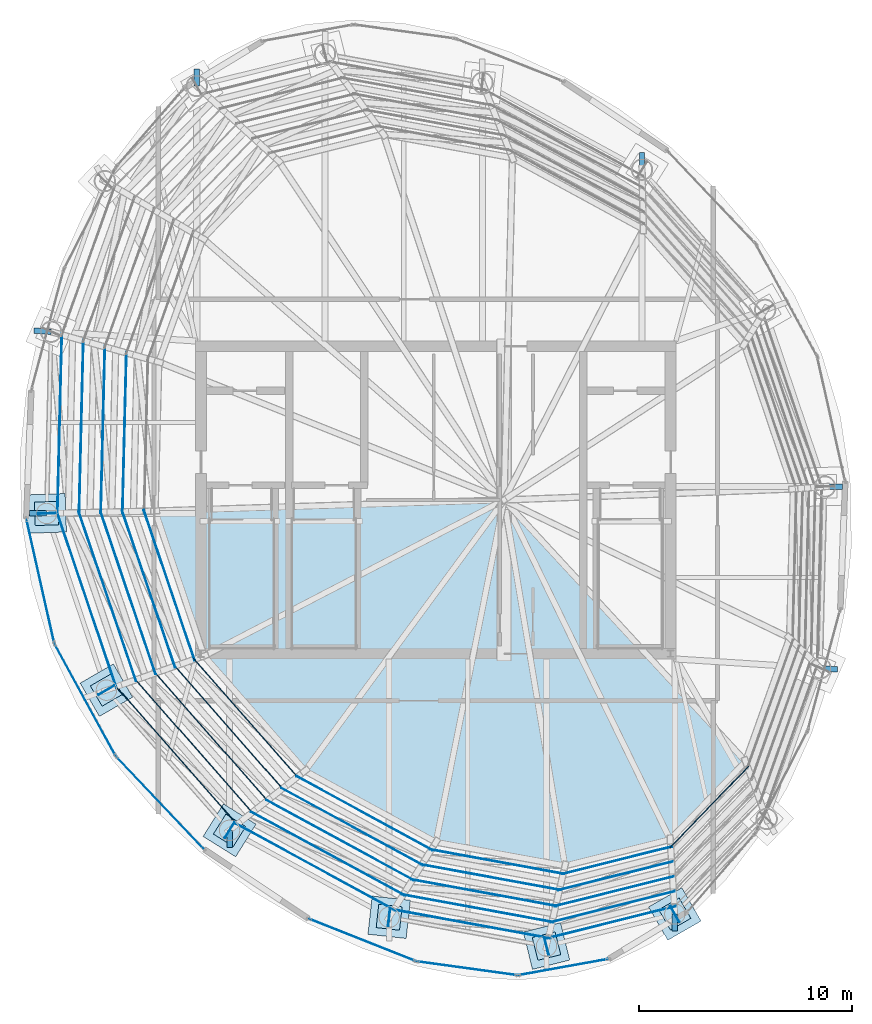
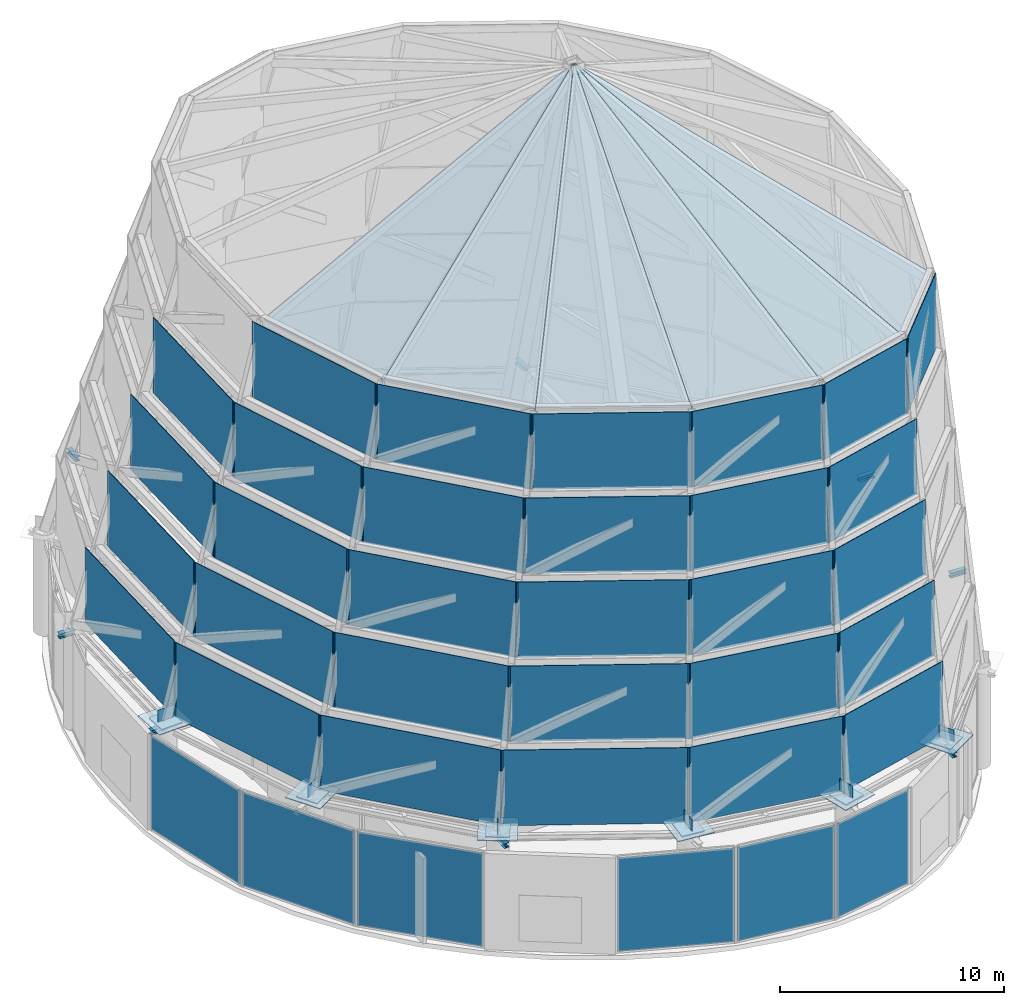
# One storey, part 35 of 40: 54 plates, 8 beams, 6 slabs, 6 elements without a shape of their own.
"""IFC4 building model written with IfcOpenShell, lengths in metres."""

import ifcopenshell
import ifcopenshell.guid

model = None  # the IFC model being written
_history = None  # IfcOwnerHistory: only IFC2X3 demands one
_inside = {}  # id of a spatial element -> (the spatial element, [elements in it])
_under = {}  # id of a project, library or spatial element -> (it, [spatial elements below it])
_declared = {}  # id of a project -> (the project, [libraries it declares])
_typed = {}  # id of a type object -> (the type object, [elements of that type])
_made_of = {}  # id of a material, layer set ... -> (it, [elements and type objects made of it])


def new_model(schema):
    """Start an empty IFC model of exactly this schema.

    Asked for "IFC4X3", IfcOpenShell would pick the latest addendum, in which some entities
    have other attributes; the version numbers below select the first issue.
    IFC2X3 requires an IfcOwnerHistory on every rooted entity: one is made here for all.
    """
    global model, _history
    if schema == "IFC4X3":
        model = ifcopenshell.file(schema_version=(4, 3, 0, 0))
    else:
        model = ifcopenshell.file(schema=schema)
    _inside.clear()
    _under.clear()
    _declared.clear()
    _typed.clear()
    _made_of.clear()
    _history = None
    if model.schema == "IFC2X3":
        org = make("IfcOrganization", Name="unknown")
        user = make(
            "IfcPersonAndOrganization",
            ThePerson=make("IfcPerson", FamilyName="unknown"),
            TheOrganization=org,
        )
        app = make(
            "IfcApplication",
            ApplicationDeveloper=org,
            Version="unknown",
            ApplicationFullName="unknown",
            ApplicationIdentifier="unknown",
        )
        _history = make(
            "IfcOwnerHistory",
            OwningUser=user,
            OwningApplication=app,
            ChangeAction="ADDED",
            CreationDate=0,
        )
    return model


def make(cls, **values):
    """One entity of the class cls with the attributes given. An attribute that is None is left unset."""
    return model.create_entity(
        cls, **{name: value for name, value in values.items() if value is not None}
    )


def rooted(cls, **values):
    """An entity with a GlobalId (a new one), such as an element, a storey or a relation."""
    return make(cls, GlobalId=ifcopenshell.guid.new(), OwnerHistory=_history, **values)


def si_unit(unit_type, name, prefix=None):
    """IfcSIUnit, for example si_unit("LENGTHUNIT", "METRE", prefix="MILLI")."""
    return make("IfcSIUnit", UnitType=unit_type, Prefix=prefix, Name=name)


def assignment(units):
    """IfcUnitAssignment: the units of a project."""
    return None if units is None else make("IfcUnitAssignment", Units=units)


def point(xyz):
    """IfcCartesianPoint."""
    return None if xyz is None else make("IfcCartesianPoint", Coordinates=xyz)


def direction(xyz):
    """IfcDirection."""
    return None if xyz is None else make("IfcDirection", DirectionRatios=xyz)


def frame(location, z_axis=None, x_axis=None):
    """IfcAxis2Placement3D, a coordinate frame: its origin and axes. An axis left out is left unset."""
    return make(
        "IfcAxis2Placement3D",
        Location=point(location),
        Axis=direction(z_axis),
        RefDirection=direction(x_axis),
    )


def frame_2d(location, x_axis=None):
    """IfcAxis2Placement2D, a coordinate frame in the plane: its origin and x axis."""
    return make(
        "IfcAxis2Placement2D", Location=point(location), RefDirection=direction(x_axis)
    )


def origin():
    """The frame at (0, 0, 0) with its axes left unset."""
    return frame((0.0, 0.0, 0.0))


def origin_2d():
    """The frame at (0, 0) in the plane with its x axis left unset."""
    return frame_2d((0.0, 0.0))


def place(relative_to, where):
    """IfcLocalPlacement: puts the frame where relative to a parent placement (None: the world)."""
    return make(
        "IfcLocalPlacement", PlacementRelTo=relative_to, RelativePlacement=where
    )


def context(
    kind, dimensions, precision=None, world=None, true_north=None, identifier=None
):
    """IfcGeometricRepresentationContext, for example the 3D "Model" context."""
    return make(
        "IfcGeometricRepresentationContext",
        ContextIdentifier=identifier,
        ContextType=kind,
        CoordinateSpaceDimension=dimensions,
        Precision=precision,
        WorldCoordinateSystem=world,
        TrueNorth=true_north,
    )


def subcontext(parent, identifier, kind, view, scale=None):
    """IfcGeometricRepresentationSubContext, for example "Body" below "Model"."""
    return make(
        "IfcGeometricRepresentationSubContext",
        ContextIdentifier=identifier,
        ContextType=kind,
        ParentContext=parent,
        TargetScale=scale,
        TargetView=view,
    )


def project(units=None, contexts=None):
    """IfcProject with its units and contexts."""
    return rooted(
        "IfcProject",
        Name="project",
        RepresentationContexts=contexts,
        UnitsInContext=assignment(units),
    )


def spatial(cls, under=None, at=None, **own):
    """A site, building, storey or space (cls), placed at a placement, below another one or the project."""
    s = rooted(cls, ObjectPlacement=at, **own)
    if under is not None:
        _under.setdefault(under.id(), (under, []))[1].append(s)
    return s


def polyline(points):
    """IfcPolyline through the points."""
    return make("IfcPolyline", Points=[point(p) for p in points])


def profile(cls, at=None, kind="AREA", **sizes):
    """A parametric profile (cls). Its sizes go by their IFC names, for example OverallWidth=200.0."""
    return make(cls, ProfileType=kind, Position=at, **sizes)


def rectangle(**sizes):
    """IfcRectangleProfileDef."""
    return profile("IfcRectangleProfileDef", **sizes)


def i_section(**sizes):
    """IfcIShapeProfileDef."""
    return profile("IfcIShapeProfileDef", **sizes)


def outline(outer, holes=None, kind="AREA"):
    """IfcArbitraryClosedProfileDef: a profile drawn as a closed curve; with holes, ...WithVoids."""
    if holes is None:
        return make("IfcArbitraryClosedProfileDef", ProfileType=kind, OuterCurve=outer)
    return make(
        "IfcArbitraryProfileDefWithVoids",
        ProfileType=kind,
        OuterCurve=outer,
        InnerCurves=holes,
    )


def extrude(swept, where, along, depth):
    """IfcExtrudedAreaSolid: the profile swept, set in the frame where, extruded along a direction by depth."""
    return make(
        "IfcExtrudedAreaSolid",
        SweptArea=swept,
        Position=where,
        ExtrudedDirection=direction(along),
        Depth=depth,
    )


def shape(context_of_items, identifier, shape_type, items):
    """IfcShapeRepresentation: the items that make up one representation, for example the "Body"."""
    return make(
        "IfcShapeRepresentation",
        ContextOfItems=context_of_items,
        RepresentationIdentifier=identifier,
        RepresentationType=shape_type,
        Items=items,
    )


def material(Name=None, Category=None):
    """IfcMaterial."""
    return make("IfcMaterial", Name=Name, Category=Category)


def layer(
    of_material, thickness, ventilated=None, Name=None, Category=None, Priority=None
):
    """IfcMaterialLayer: one layer of a wall or slab, of a material (None: an air gap)."""
    return make(
        "IfcMaterialLayer",
        Material=of_material,
        LayerThickness=thickness,
        IsVentilated=ventilated,
        Name=Name,
        Category=Category,
        Priority=Priority,
    )


def layer_set(layers, Name=None):
    """IfcMaterialLayerSet."""
    return make("IfcMaterialLayerSet", MaterialLayers=layers, LayerSetName=Name)


def material_profile(
    of_material, cross_section, Name=None, Category=None, Priority=None
):
    """IfcMaterialProfile: a cross section and its material."""
    return make(
        "IfcMaterialProfile",
        Name=Name,
        Material=of_material,
        Profile=cross_section,
        Priority=Priority,
        Category=Category,
    )


def profile_set(profiles, Name=None, composite=None):
    """IfcMaterialProfileSet."""
    return make(
        "IfcMaterialProfileSet",
        Name=Name,
        MaterialProfiles=profiles,
        CompositeProfile=composite,
    )


def made_of(thing, what):
    """Note that an element or type object is made of a material, layer set ...; save() writes the relation."""
    if what is not None:
        _made_of.setdefault(what.id(), (what, []))[1].append(thing)
    return thing


def type_object(cls, material=None, **own):
    """A type object (cls), such as IfcWallType, which elements share."""
    return made_of(rooted(cls, **own), material)


def element(
    cls,
    number,
    at=None,
    inside=None,
    cuts=None,
    type_object=None,
    material=None,
    context=None,
    identifier="Body",
    shape_type=None,
    held_by="IfcProductDefinitionShape",
    body=None,
    shapes=None,
    **own,
):
    """One element of the class cls, such as IfcWall. Its Tag is "e" and its number.

    at: its placement. inside: the storey or other place that contains it. cuts: it is an
    opening in that element (IfcRelVoidsElement). A single representation is given by context,
    identifier, shape_type and body (its items); several are given by shapes. held_by: the class
    of the entity that holds the representations. save() writes the other relations.
    """
    e = rooted(cls, Tag="e%d" % number, ObjectPlacement=at, **own)
    if body is not None:
        shapes = [shape(context, identifier, shape_type, body)]
    if shapes is not None:
        e.Representation = make(held_by, Representations=shapes)
    if inside is not None:
        _inside.setdefault(inside.id(), (inside, []))[1].append(e)
    if cuts is not None:
        rooted(
            "IfcRelVoidsElement", RelatingBuildingElement=cuts, RelatedOpeningElement=e
        )
    if type_object is not None:
        _typed.setdefault(type_object.id(), (type_object, []))[1].append(e)
    return made_of(e, material)


def aggregate(whole, parts):
    """IfcRelAggregates: a whole, such as a stair, and the parts it consists of."""
    return rooted("IfcRelAggregates", RelatingObject=whole, RelatedObjects=parts)


def save(model, path):
    """Write the relations noted so far, then the file.

    IfcRelAggregates (storeys below a building ...), IfcRelContainedInSpatialStructure (elements
    in a storey), IfcRelDefinesByType, IfcRelAssociatesMaterial and IfcRelDeclares: one each for
    every whole, place, type object, material and project.
    """
    for whole, parts in _under.values():
        aggregate(whole, parts)
    for where, things in _inside.values():
        rooted(
            "IfcRelContainedInSpatialStructure",
            RelatedElements=things,
            RelatingStructure=where,
        )
    for kind, things in _typed.values():
        rooted("IfcRelDefinesByType", RelatedObjects=things, RelatingType=kind)
    for what, things in _made_of.values():
        rooted("IfcRelAssociatesMaterial", RelatedObjects=things, RelatingMaterial=what)
    for by, libraries in _declared.values():
        rooted("IfcRelDeclares", RelatingContext=by, RelatedDefinitions=libraries)
    model.write(path)


model = new_model("IFC4")

# Units and contexts
model_context = context("Model", 3, precision=1e-05, world=origin(), true_north=direction((0.0, 1.0)))
body_context = subcontext(model_context, "Body", "Model", "MODEL_VIEW")
ifc_project = project(units=[si_unit("LENGTHUNIT", "METRE"), si_unit("AREAUNIT", "SQUARE_METRE"), si_unit("VOLUMEUNIT", "CUBIC_METRE"), si_unit("PLANEANGLEUNIT", "RADIAN"), si_unit("MASSUNIT", "GRAM", prefix="KILO")], contexts=[model_context])

# Site, building, storey
site_placement = place(None, origin())
site = spatial("IfcSite", under=ifc_project, at=site_placement, CompositionType="ELEMENT")
building_placement = place(site_placement, origin())
building = spatial("IfcBuilding", under=site, at=building_placement, Name="Bramvorn Convention Spire", CompositionType="ELEMENT")
storey_placement = place(building_placement, frame((0.0, 0.0, 312.5)))
storey = spatial("IfcBuildingStorey", under=building, at=storey_placement, Name="L79", CompositionType="ELEMENT", Elevation=312.5)

# Beams
ifc_material_1 = material(Name="Steel CSA G40.21 Grade 350 (350W)", Category="steel")
ifc_material_profile = material_profile(ifc_material_1, i_section(OverallWidth=0.25390625, OverallDepth=0.2529296875, WebThickness=0.008544921875, FlangeThickness=0.01416015625, FilletRadius=0.011962890625, at=origin_2d()))
ifc_profile_set = profile_set([ifc_material_profile], Name="Steel CSA G40.21 Grade 350 (350W) - W250X73")
beam_type = type_object("IfcBeamType", Name="BM-W250X73", PredefinedType="BEAM", material=ifc_profile_set)
for number, where, z_axis, x_axis, name in (
    (1, (49.199951171875, 6.60107421875, 5.12353515625), (0.0, -1.0, 0.0), (1.0, 0.0, 0.0), "L79 slab-edge cantilever tip beam MC01"),
    (2, (56.023681640625, 18.116455078125, 5.12353515625), (0.997963713083, -0.063784225087, 0.0), (0.063784225087, 0.997963713083, 0.0), "L79 slab-edge cantilever tip beam MC03"),
):
    element("IfcBeam", number, at=place(storey_placement, frame(where, z_axis=z_axis, x_axis=x_axis)), inside=storey, type_object=beam_type, Name=name, PredefinedType="BEAM", context=body_context, shape_type="SweptSolid", body=[
        extrude(i_section(OverallWidth=0.25390625, OverallDepth=0.2529296875, WebThickness=0.008544921875, FlangeThickness=0.01416015625, FilletRadius=0.011962890625, at=origin_2d()), origin(), (0.0, 0.0, 1.0), 0.800048828125),
    ])
beam_1_placement = place(storey_placement, frame((56.234619140625, 26.62939453125, 5.12353515625), z_axis=(1.0, 0.0, 0.0), x_axis=(0.0, 1.0, 0.0)))
element("IfcBeam", 3, at=beam_1_placement, inside=storey, type_object=beam_type, Name="L79 slab-edge cantilever tip beam MC04", PredefinedType="BEAM", context=body_context, shape_type="SweptSolid", body=[
    extrude(i_section(OverallWidth=0.25390625, OverallDepth=0.2529296875, WebThickness=0.008544921875, FlangeThickness=0.01416015625, FilletRadius=0.011962890625, at=origin_2d()), origin(), (0.0, 0.0, 1.0), 0.81298828125),
])
for number, where, z_axis, x_axis, name in (
    (4, (47.662353515625, 41.476806640625, 5.12353515625), (0.0, 1.0, 0.0), (-1.0, 0.0, 0.0), "L79 slab-edge cantilever tip beam MC06"),
    (5, (26.800048828125, 45.39892578125, 5.12353515625), (0.0, 1.0, 0.0), (-1.0, 0.0, 0.0), "L79 slab-edge cantilever tip beam MC09"),
    (6, (19.976318359375, 33.883544921875, 5.12353515625), (-0.997963713083, 0.063784225087, 0.0), (-0.063784225087, -0.997963713083, 0.0), "L79 slab-edge cantilever tip beam MC11"),
):
    element("IfcBeam", number, at=place(storey_placement, frame(where, z_axis=z_axis, x_axis=x_axis)), inside=storey, type_object=beam_type, Name=name, PredefinedType="BEAM", context=body_context, shape_type="SweptSolid", body=[
        extrude(i_section(OverallWidth=0.25390625, OverallDepth=0.2529296875, WebThickness=0.008544921875, FlangeThickness=0.01416015625, FilletRadius=0.011962890625, at=origin_2d()), origin(), (0.0, 0.0, 1.0), 0.800048828125),
    ])
beam_2_placement = place(storey_placement, frame((19.765380859375, 25.37060546875, 5.12353515625), z_axis=(-1.0, 0.0, 0.0), x_axis=(0.0, -1.0, 0.0)))
element("IfcBeam", 7, at=beam_2_placement, inside=storey, type_object=beam_type, Name="L79 slab-edge cantilever tip beam MC12", PredefinedType="BEAM", context=body_context, shape_type="SweptSolid", body=[
    extrude(i_section(OverallWidth=0.25390625, OverallDepth=0.2529296875, WebThickness=0.008544921875, FlangeThickness=0.01416015625, FilletRadius=0.011962890625, at=origin_2d()), origin(), (0.0, 0.0, 1.0), 0.81298828125),
])
beam_3_placement = place(storey_placement, frame((28.337646484375, 10.523193359375, 5.12353515625), z_axis=(0.0, -1.0, 0.0), x_axis=(1.0, 0.0, 0.0)))
element("IfcBeam", 8, at=beam_3_placement, inside=storey, type_object=beam_type, Name="L79 slab-edge cantilever tip beam MC14", PredefinedType="BEAM", context=body_context, shape_type="SweptSolid", body=[
    extrude(i_section(OverallWidth=0.25390625, OverallDepth=0.2529296875, WebThickness=0.008544921875, FlangeThickness=0.01416015625, FilletRadius=0.011962890625, at=origin_2d()), origin(), (0.0, 0.0, 1.0), 0.800048828125),
])

# Plates
ifc_layer_1 = layer(ifc_material_1, 0.044921875)
ifc_layer_set_1 = layer_set([ifc_layer_1], Name="Steel CSA G40.21 Grade 350 (350W) - PLT-NODE-CAP-45")
plate_type_1 = type_object("IfcPlateType", Name="PLT-NODE-CAP-45", PredefinedType="SHEET", material=ifc_layer_set_1)
for number, where, z_axis, x_axis, name in (
    (9, (49.199951171875, 6.60107421875, 5.5), (0.0, 0.0, 1.0), (0.499999401612, -0.866025749263, 0.0), "L79 CFT mega-column MC01 transition cap plate"),
    (10, (19.765380859375, 25.37060546875, 5.5), (0.0, 0.0, 1.0), (-0.999404638135, -0.034501728572, 0.0), "L79 CFT mega-column MC12 transition cap plate"),
    (11, (22.5673828125, 17.090087890625, 5.5), (0.0, 0.0, 1.0), (-0.86602578684, -0.499999336527, 0.0), "L79 CFT mega-column MC13 transition cap plate"),
    (12, (28.337646484375, 10.523193359375, 5.5), (0.0, 0.0, 1.0), (-0.529581099859, -0.848259310984, 0.0), "L79 CFT mega-column MC14 transition cap plate"),
    (13, (35.8154296875, 6.44921875, 5.5), (0.0, 0.0, 1.0), (-0.111043540524, -0.993815542295, 0.0), "L79 CFT mega-column MC15 transition cap plate"),
    (14, (43.1884765625, 5.09912109375, 5.5), (0.0, 0.0, 1.0), (0.24093026589, -0.970542429252, 0.0), "L79 CFT mega-column MC16 transition cap plate"),
):
    element("IfcPlate", number, at=place(storey_placement, frame(where, z_axis=z_axis, x_axis=x_axis)), inside=storey, type_object=plate_type_1, Name=name, PredefinedType="SHEET", context=body_context, shape_type="SweptSolid", body=[
        extrude(rectangle(XDim=1.800048828125, YDim=1.800048828125, at=origin_2d()), origin(), (0.0, 0.0, 1.0), 0.044921875),
    ])
ifc_layer_2 = layer(ifc_material_1, 0.034912109375)
ifc_layer_set_2 = layer_set([ifc_layer_2], Name="Steel CSA G40.21 Grade 350 (350W) - PLT-NODE-GUSSET-35")
plate_type_2 = type_object("IfcPlateType", Name="PLT-NODE-GUSSET-35", PredefinedType="USERDEFINED", material=ifc_layer_set_2)
for number, where, z_axis, x_axis, name in (
    (15, (49.199951171875, 6.60107421875, 5.525146484375), (0.0, 0.0, 1.0), (0.499999401612, -0.866025749263, 0.0), "Crown spire leg 01 vertical gusset plate"),
    (16, (19.765380859375, 25.37060546875, 5.525146484375), (0.0, 0.0, 1.0), (-0.999404638135, -0.034501728572, 0.0), "Crown spire leg 12 vertical gusset plate"),
    (17, (22.5673828125, 17.090087890625, 5.525146484375), (0.0, 0.0, 1.0), (-0.86602578684, -0.499999336527, 0.0), "Crown spire leg 13 vertical gusset plate"),
    (18, (28.337646484375, 10.523193359375, 5.525146484375), (0.0, 0.0, 1.0), (-0.529581099859, -0.848259310984, 0.0), "Crown spire leg 14 vertical gusset plate"),
    (19, (35.8154296875, 6.44921875, 5.525146484375), (0.0, 0.0, 1.0), (-0.111043540524, -0.993815542295, 0.0), "Crown spire leg 15 vertical gusset plate"),
    (20, (43.1884765625, 5.09912109375, 5.525146484375), (0.0, 0.0, 1.0), (0.24093026589, -0.970542429252, 0.0), "Crown spire leg 16 vertical gusset plate"),
):
    element("IfcPlate", number, at=place(storey_placement, frame(where, z_axis=z_axis, x_axis=x_axis)), inside=storey, type_object=plate_type_2, Name=name, ObjectType="GUSSET PLATE", PredefinedType="USERDEFINED", context=body_context, shape_type="SweptSolid", body=[
        extrude(rectangle(XDim=0.85009765625, YDim=0.034912109375, at=origin_2d()), origin(), (0.0, 0.0, 1.0), 0.64990234375),
    ])
ifc_layer_3 = layer(ifc_material_1, 0.06005859375)
ifc_layer_set_3 = layer_set([ifc_layer_3], Name="Steel CSA G40.21 Grade 350 (350W) - PLT-SPIRE-BASE-60")
plate_type_3 = type_object("IfcPlateType", Name="PLT-SPIRE-BASE-60", PredefinedType="USERDEFINED", material=ifc_layer_set_3)
for number, where, z_axis, x_axis, name in (
    (21, (49.199951171875, 6.60107421875, 5.43994140625), (0.0, 0.0, 1.0), (0.499999401612, -0.866025749263, 0.0), "Crown spire leg 01 anchored base plate"),
    (22, (19.765380859375, 25.37060546875, 5.43994140625), (0.0, 0.0, 1.0), (-0.999404638135, -0.034501728572, 0.0), "Crown spire leg 12 anchored base plate"),
    (23, (22.5673828125, 17.090087890625, 5.43994140625), (0.0, 0.0, 1.0), (-0.86602578684, -0.499999336527, 0.0), "Crown spire leg 13 anchored base plate"),
    (24, (28.337646484375, 10.523193359375, 5.43994140625), (0.0, 0.0, 1.0), (-0.529581099859, -0.848259310984, 0.0), "Crown spire leg 14 anchored base plate"),
    (25, (35.8154296875, 6.44921875, 5.43994140625), (0.0, 0.0, 1.0), (-0.111043540524, -0.993815542295, 0.0), "Crown spire leg 15 anchored base plate"),
    (26, (43.1884765625, 5.09912109375, 5.43994140625), (0.0, 0.0, 1.0), (0.24093026589, -0.970542429252, 0.0), "Crown spire leg 16 anchored base plate"),
):
    element("IfcPlate", number, at=place(storey_placement, frame(where, z_axis=z_axis, x_axis=x_axis)), inside=storey, type_object=plate_type_3, Name=name, ObjectType="BASE PLATE", PredefinedType="USERDEFINED", context=body_context, shape_type="SweptSolid", body=[
        extrude(rectangle(XDim=1.10009765625, YDim=1.10009765625, at=origin_2d()), origin(), (0.0, 0.0, 1.0), 0.06005859375),
    ])

# Curtain wall, plate
ifc_material_2 = material(Name="Anodised Bronze Unitised Curtain Wall", Category="aluminium")
ifc_layer_4 = layer(ifc_material_2, 0.199951171875)
ifc_layer_set_4 = layer_set([ifc_layer_4], Name="Anodised Bronze Unitised Curtain Wall - CW-CROWN-SPIRE")
curtain_wall_type = type_object("IfcCurtainWallType", Name="CW-CROWN-SPIRE", PredefinedType="USERDEFINED", material=ifc_layer_set_4)
curtain_wall_1_placement = place(storey_placement, origin())
curtain_wall_1 = element("IfcCurtainWall", 27, at=curtain_wall_1_placement, inside=storey, type_object=curtain_wall_type, Name="L79 fritted glass curtain wall 18", ObjectType="UNITISED CURTAIN WALL", PredefinedType="USERDEFINED")
ifc_material_3 = material(Name="Laminated Low-E Glass (Triple IGU High-VLT Low-Iron 22%)", Category="glass")
ifc_layer_5 = layer(ifc_material_3, 0.0419921875)
ifc_layer_set_5 = layer_set([ifc_layer_5], Name="Laminated Low-E Glass (Triple IGU High-VLT Low-Iron 22%) - PNL-IGU-4")
plate_type_4 = type_object("IfcPlateType", Name="PNL-IGU-4", PredefinedType="CURTAIN_PANEL", material=ifc_layer_set_5)
plate_1_placement = place(storey_placement, frame((19.4736328125, 22.196044921875, 0.06005859375), z_axis=(0.0, 0.0, 1.0), x_axis=(-0.219355690041, 0.975644956553, 0.0)))
plate_1 = element("IfcPlate", 28, at=plate_1_placement, type_object=plate_type_4, Name="CW6 panel 1.1", PredefinedType="CURTAIN_PANEL", context=body_context, shape_type="SweptSolid", body=[
    extrude(rectangle(XDim=5.8857421875, YDim=0.028076171875, at=origin_2d()), origin(), (0.0, 0.0, 1.0), 5.1298828125),
])
aggregate(curtain_wall_1, [plate_1])

curtain_wall_2_placement = place(storey_placement, origin())
curtain_wall_2 = element("IfcCurtainWall", 29, at=curtain_wall_2_placement, inside=storey, type_object=curtain_wall_type, Name="L79 fritted glass curtain wall 19", ObjectType="UNITISED CURTAIN WALL", PredefinedType="USERDEFINED")
plate_2_placement = place(storey_placement, frame((21.5712890625, 16.63037109375, 0.06005859375), z_axis=(0.0, 0.0, 1.0), x_axis=(-0.479139090174, 0.87773898869, 0.0)))
plate_2 = element("IfcPlate", 30, at=plate_2_placement, type_object=plate_type_4, Name="CW6 panel 1.1", PredefinedType="CURTAIN_PANEL", context=body_context, shape_type="SweptSolid", body=[
    extrude(rectangle(XDim=5.8857421875, YDim=0.028076171875, at=origin_2d()), origin(), (0.0, 0.0, 1.0), 5.1298828125),
])
aggregate(curtain_wall_2, [plate_2])

curtain_wall_3_placement = place(storey_placement, origin())
curtain_wall_3 = element("IfcCurtainWall", 31, at=curtain_wall_3_placement, inside=storey, type_object=curtain_wall_type, Name="L79 fritted glass curtain wall 20", ObjectType="UNITISED CURTAIN WALL", PredefinedType="USERDEFINED")
plate_3_placement = place(storey_placement, frame((25.08056640625, 11.813720703125, 0.06005859375), z_axis=(0.0, 0.0, 1.0), x_axis=(-0.688513915149, 0.725223130248, 0.0)))
plate_3 = element("IfcPlate", 32, at=plate_3_placement, type_object=plate_type_4, Name="CW6 panel 1.1", PredefinedType="CURTAIN_PANEL", context=body_context, shape_type="SweptSolid", body=[
    extrude(rectangle(XDim=5.894775390625, YDim=0.028076171875, at=origin_2d()), origin(), (0.0, 0.0, 1.0), 5.1298828125),
])
aggregate(curtain_wall_3, [plate_3])

curtain_wall_4_placement = place(storey_placement, origin())
curtain_wall_4 = element("IfcCurtainWall", 33, at=curtain_wall_4_placement, inside=storey, type_object=curtain_wall_type, Name="L79 fritted glass curtain wall 22", ObjectType="UNITISED CURTAIN WALL", PredefinedType="USERDEFINED")
plate_4_placement = place(storey_placement, frame((34.5546875, 5.38525390625, 0.06005859375), z_axis=(0.0, 0.0, 1.0), x_axis=(-0.929532614577, 0.368739906217, 0.0)))
plate_4 = element("IfcPlate", 34, at=plate_4_placement, type_object=plate_type_4, Name="CW6 panel 1.1", PredefinedType="CURTAIN_PANEL", context=body_context, shape_type="SweptSolid", body=[
    extrude(rectangle(XDim=5.3076171875, YDim=0.028076171875, at=origin_2d()), origin(), (0.0, 0.0, 1.0), 5.1298828125),
])
aggregate(curtain_wall_4, [plate_4])

curtain_wall_5_placement = place(storey_placement, origin())
curtain_wall_5 = element("IfcCurtainWall", 35, at=curtain_wall_5_placement, inside=storey, type_object=curtain_wall_type, Name="L79 fritted glass curtain wall 23", ObjectType="UNITISED CURTAIN WALL", PredefinedType="USERDEFINED")
plate_5_placement = place(storey_placement, frame((39.4599609375, 4.055908203125, 0.06005859375), z_axis=(0.0, 0.0, 1.0), x_axis=(-0.990621420312, 0.136635286872, 0.0)))
plate_5 = element("IfcPlate", 36, at=plate_5_placement, type_object=plate_type_4, Name="CW6 panel 1.1", PredefinedType="CURTAIN_PANEL", context=body_context, shape_type="SweptSolid", body=[
    extrude(rectangle(XDim=4.690673828125, YDim=0.028076171875, at=origin_2d()), origin(), (0.0, 0.0, 1.0), 5.1298828125),
])
aggregate(curtain_wall_5, [plate_5])

curtain_wall_6_placement = place(storey_placement, origin())
curtain_wall_6 = element("IfcCurtainWall", 37, at=curtain_wall_6_placement, inside=storey, type_object=curtain_wall_type, Name="L79 fritted glass curtain wall 24", ObjectType="UNITISED CURTAIN WALL", PredefinedType="USERDEFINED")
plate_6_placement = place(storey_placement, frame((43.973388671875, 4.11181640625, 0.06005859375), z_axis=(0.0, 0.0, 1.0), x_axis=(-0.984096720996, -0.17763345328, 0.0)))
plate_6 = element("IfcPlate", 38, at=plate_6_placement, type_object=plate_type_4, Name="CW6 panel 1.1", PredefinedType="CURTAIN_PANEL", context=body_context, shape_type="SweptSolid", body=[
    extrude(rectangle(XDim=4.210205078125, YDim=0.028076171875, at=origin_2d()), origin(), (0.0, 0.0, 1.0), 5.1298828125),
])
aggregate(curtain_wall_6, [plate_6])

# Plates
ifc_material_4 = material(Name="Laminated Low-E Glass (Crown Laminated Ceramic-Printed Spandrel Glass)", Category="glass")
ifc_layer_6 = layer(ifc_material_4, 0.031982421875)
ifc_layer_set_6 = layer_set([ifc_layer_6], Name="Laminated Low-E Glass (Crown Laminated Ceramic-Printed Spandrel Glass) - PNL-IGU-6")
plate_type_5 = type_object("IfcPlateType", Name="PNL-IGU-6", PredefinedType="SHEET", material=ifc_layer_set_6)
plate_7_placement = place(storey_placement, frame((20.377197265625, 29.561767578125, 5.43994140625), z_axis=(0.0, 0.0, 1.0), x_axis=(-0.024771845102, -0.999693130761, 0.0)))
element("IfcPlate", 39, at=plate_7_placement, inside=storey, type_object=plate_type_5, Name="Crown spire ceramic-printed glass cladding panel T1-11", PredefinedType="SHEET", context=body_context, shape_type="SweptSolid", body=[
    extrude(rectangle(XDim=8.482421875, YDim=0.035888671875, at=origin_2d()), origin(), (0.0, 0.0, 1.0), 4.1201171875),
])
for number, where, z_axis, x_axis, name in (
    (40, (21.6494140625, 21.316162109375, 5.43994140625), (0.0, 0.0, 1.0), (0.320535231981, -0.947236594024, 0.0), "Crown spire ceramic-printed glass cladding panel T1-12"),
    (41, (25.8583984375, 14.026123046875, 5.43994140625), (0.0, 0.0, 1.0), (0.660071782704, -0.751202530399, 0.0), "Crown spire ceramic-printed glass cladding panel T1-13"),
):
    element("IfcPlate", number, at=place(storey_placement, frame(where, z_axis=z_axis, x_axis=x_axis)), inside=storey, type_object=plate_type_5, Name=name, PredefinedType="SHEET", context=body_context, shape_type="SweptSolid", body=[
        extrude(rectangle(XDim=8.704345703125, YDim=0.035888671875, at=origin_2d()), origin(), (0.0, 0.0, 1.0), 4.1201171875),
    ])
plate_8_placement = place(storey_placement, frame((32.363037109375, 8.801513671875, 5.43994140625), z_axis=(0.0, 0.0, 1.0), x_axis=(0.878133563971, -0.478415555587, 0.0)))
element("IfcPlate", 42, at=plate_8_placement, inside=storey, type_object=plate_type_5, Name="Crown spire ceramic-printed glass cladding panel T1-14", PredefinedType="SHEET", context=body_context, shape_type="SweptSolid", body=[
    extrude(rectangle(XDim=8.482421875, YDim=0.035888671875, at=origin_2d()), origin(), (0.0, 0.0, 1.0), 4.1201171875),
])
plate_9_placement = place(storey_placement, frame((39.65478515625, 6.13818359375, 5.43994140625), z_axis=(0.0, 0.0, 1.0), x_axis=(0.983644809557, -0.180119095686, 0.0)))
element("IfcPlate", 43, at=plate_9_placement, inside=storey, type_object=plate_type_5, Name="Crown spire ceramic-printed glass cladding panel T1-15", PredefinedType="SHEET", context=body_context, shape_type="SweptSolid", body=[
    extrude(rectangle(XDim=7.480712890625, YDim=0.035888671875, at=origin_2d()), origin(), (0.0, 0.0, 1.0), 4.1201171875),
])
plate_10_placement = place(storey_placement, frame((46.226806640625, 6.212646484375, 5.43994140625), z_axis=(0.0, 0.0, 1.0), x_axis=(0.970178258818, 0.242392545506, 0.0)))
element("IfcPlate", 44, at=plate_10_placement, inside=storey, type_object=plate_type_5, Name="Crown spire ceramic-printed glass cladding panel T1-16", PredefinedType="SHEET", context=body_context, shape_type="SweptSolid", body=[
    extrude(rectangle(XDim=6.204833984375, YDim=0.035888671875, at=origin_2d()), origin(), (0.0, 0.0, 1.0), 4.1201171875),
])
plate_11_placement = place(storey_placement, frame((21.389892578125, 29.43115234375, 9.43994140625), z_axis=(0.0, 0.0, 1.0), x_axis=(-0.024771058845, -0.999693150243, 0.0)))
element("IfcPlate", 45, at=plate_11_placement, inside=storey, type_object=plate_type_5, Name="Crown spire ceramic-printed glass cladding panel T2-11", PredefinedType="SHEET", context=body_context, shape_type="SweptSolid", body=[
    extrude(rectangle(XDim=8.17578125, YDim=0.035888671875, at=origin_2d()), origin(), (0.0, 0.0, 1.0), 4.1201171875),
])
for number, where, z_axis, x_axis, name in (
    (46, (22.615478515625, 21.48779296875, 9.43994140625), (0.0, 0.0, 1.0), (0.320532411966, -0.947237548284, 0.0), "Crown spire ceramic-printed glass cladding panel T2-12"),
    (47, (26.669921875, 14.465087890625, 9.43994140625), (0.0, 0.0, 1.0), (0.66007325463, -0.751201237034, 0.0), "Crown spire ceramic-printed glass cladding panel T2-13"),
):
    element("IfcPlate", number, at=place(storey_placement, frame(where, z_axis=z_axis, x_axis=x_axis)), inside=storey, type_object=plate_type_5, Name=name, PredefinedType="SHEET", context=body_context, shape_type="SweptSolid", body=[
        extrude(rectangle(XDim=8.3896484375, YDim=0.035888671875, at=origin_2d()), origin(), (0.0, 0.0, 1.0), 4.1201171875),
    ])
plate_12_placement = place(storey_placement, frame((32.936279296875, 9.431884765625, 9.43994140625), z_axis=(0.0, 0.0, 1.0), x_axis=(0.878135507493, -0.478411988228, 0.0)))
element("IfcPlate", 48, at=plate_12_placement, inside=storey, type_object=plate_type_5, Name="Crown spire ceramic-printed glass cladding panel T2-14", PredefinedType="SHEET", context=body_context, shape_type="SweptSolid", body=[
    extrude(rectangle(XDim=8.17578125, YDim=0.035888671875, at=origin_2d()), origin(), (0.0, 0.0, 1.0), 4.1201171875),
])
plate_13_placement = place(storey_placement, frame((39.9609375, 6.8662109375, 9.43994140625), z_axis=(0.0, 0.0, 1.0), x_axis=(0.983644619648, -0.180120132795, 0.0)))
element("IfcPlate", 49, at=plate_13_placement, inside=storey, type_object=plate_type_5, Name="Crown spire ceramic-printed glass cladding panel T2-15", PredefinedType="SHEET", context=body_context, shape_type="SweptSolid", body=[
    extrude(rectangle(XDim=7.210693359375, YDim=0.035888671875, at=origin_2d()), origin(), (0.0, 0.0, 1.0), 4.1201171875),
])
plate_14_placement = place(storey_placement, frame((46.291748046875, 6.938232421875, 9.43994140625), z_axis=(0.0, 0.0, 1.0), x_axis=(0.970179619152, 0.242387100691, 0.0)))
element("IfcPlate", 50, at=plate_14_placement, inside=storey, type_object=plate_type_5, Name="Crown spire ceramic-printed glass cladding panel T2-16", PredefinedType="SHEET", context=body_context, shape_type="SweptSolid", body=[
    extrude(rectangle(XDim=5.981689453125, YDim=0.035888671875, at=origin_2d()), origin(), (0.0, 0.0, 1.0), 4.1201171875),
])
plate_15_placement = place(storey_placement, frame((22.402587890625, 29.300537109375, 13.43994140625), z_axis=(0.0, 0.0, 1.0), x_axis=(-0.024770210369, -0.999693171267, 0.0)))
element("IfcPlate", 51, at=plate_15_placement, inside=storey, type_object=plate_type_5, Name="Crown spire ceramic-printed glass cladding panel T3-11", PredefinedType="SHEET", context=body_context, shape_type="SweptSolid", body=[
    extrude(rectangle(XDim=7.869140625, YDim=0.035888671875, at=origin_2d()), origin(), (0.0, 0.0, 1.0), 4.1201171875),
])
for number, where, z_axis, x_axis, name in (
    (52, (23.581298828125, 21.659423828125, 13.43994140625), (0.0, 0.0, 1.0), (0.32052936881, -0.947238578042, 0.0), "Crown spire ceramic-printed glass cladding panel T3-12"),
    (53, (27.481689453125, 14.904052734375, 13.43994140625), (0.0, 0.0, 1.0), (0.660074843005, -0.751199841341, 0.0), "Crown spire ceramic-printed glass cladding panel T3-13"),
):
    element("IfcPlate", number, at=place(storey_placement, frame(where, z_axis=z_axis, x_axis=x_axis)), inside=storey, type_object=plate_type_5, Name=name, PredefinedType="SHEET", context=body_context, shape_type="SweptSolid", body=[
        extrude(rectangle(XDim=8.074951171875, YDim=0.035888671875, at=origin_2d()), origin(), (0.0, 0.0, 1.0), 4.1201171875),
    ])
plate_16_placement = place(storey_placement, frame((33.509765625, 10.0625, 13.43994140625), z_axis=(0.0, 0.0, 1.0), x_axis=(0.878137604786, -0.47840813858, 0.0)))
element("IfcPlate", 54, at=plate_16_placement, inside=storey, type_object=plate_type_5, Name="Crown spire ceramic-printed glass cladding panel T3-14", PredefinedType="SHEET", context=body_context, shape_type="SweptSolid", body=[
    extrude(rectangle(XDim=7.869140625, YDim=0.035888671875, at=origin_2d()), origin(), (0.0, 0.0, 1.0), 4.1201171875),
])
plate_17_placement = place(storey_placement, frame((40.266845703125, 7.594482421875, 13.43994140625), z_axis=(0.0, 0.0, 1.0), x_axis=(0.98364441471, -0.180121251967, 0.0)))
element("IfcPlate", 55, at=plate_17_placement, inside=storey, type_object=plate_type_5, Name="Crown spire ceramic-printed glass cladding panel T3-15", PredefinedType="SHEET", context=body_context, shape_type="SweptSolid", body=[
    extrude(rectangle(XDim=6.94091796875, YDim=0.035888671875, at=origin_2d()), origin(), (0.0, 0.0, 1.0), 4.1201171875),
])
plate_18_placement = place(storey_placement, frame((46.356689453125, 7.66357421875, 13.43994140625), z_axis=(0.0, 0.0, 1.0), x_axis=(0.970181087085, 0.242381225063, 0.0)))
element("IfcPlate", 56, at=plate_18_placement, inside=storey, type_object=plate_type_5, Name="Crown spire ceramic-printed glass cladding panel T3-16", PredefinedType="SHEET", context=body_context, shape_type="SweptSolid", body=[
    extrude(rectangle(XDim=5.758544921875, YDim=0.035888671875, at=origin_2d()), origin(), (0.0, 0.0, 1.0), 4.1201171875),
])
plate_19_placement = place(storey_placement, frame((23.4150390625, 29.169921875, 17.43994140625), z_axis=(0.0, 0.0, 1.0), x_axis=(-0.024769292015, -0.999693194022, 0.0)))
element("IfcPlate", 57, at=plate_19_placement, inside=storey, type_object=plate_type_5, Name="Crown spire ceramic-printed glass cladding panel T4-11", PredefinedType="SHEET", context=body_context, shape_type="SweptSolid", body=[
    extrude(rectangle(XDim=7.562744140625, YDim=0.035888671875, at=origin_2d()), origin(), (0.0, 0.0, 1.0), 4.1201171875),
])
for number, where, z_axis, x_axis, name in (
    (58, (24.54736328125, 21.831298828125, 17.43994140625), (0.0, 0.0, 1.0), (0.320531946876, -0.947237705664, 0.0), "Crown spire ceramic-printed glass cladding panel T4-12"),
    (59, (28.29345703125, 15.343017578125, 17.43994140625), (0.0, 0.0, 1.0), (0.660076114265, -0.751198724292, 0.0), "Crown spire ceramic-printed glass cladding panel T4-13"),
):
    element("IfcPlate", number, at=place(storey_placement, frame(where, z_axis=z_axis, x_axis=x_axis)), inside=storey, type_object=plate_type_5, Name=name, PredefinedType="SHEET", context=body_context, shape_type="SweptSolid", body=[
        extrude(rectangle(XDim=7.76025390625, YDim=0.035888671875, at=origin_2d()), origin(), (0.0, 0.0, 1.0), 4.1201171875),
    ])
plate_20_placement = place(storey_placement, frame((34.0830078125, 10.69287109375, 17.43994140625), z_axis=(0.0, 0.0, 1.0), x_axis=(0.878134230253, -0.478414332623, 0.0)))
element("IfcPlate", 60, at=plate_20_placement, inside=storey, type_object=plate_type_5, Name="Crown spire ceramic-printed glass cladding panel T4-14", PredefinedType="SHEET", context=body_context, shape_type="SweptSolid", body=[
    extrude(rectangle(XDim=7.562744140625, YDim=0.035888671875, at=origin_2d()), origin(), (0.0, 0.0, 1.0), 4.1201171875),
])
plate_21_placement = place(storey_placement, frame((40.57275390625, 8.322509765625, 17.43994140625), z_axis=(0.0, 0.0, 1.0), x_axis=(0.983644440507, -0.180121111087, 0.0)))
element("IfcPlate", 61, at=plate_21_placement, inside=storey, type_object=plate_type_5, Name="Crown spire ceramic-printed glass cladding panel T4-15", PredefinedType="SHEET", context=body_context, shape_type="SweptSolid", body=[
    extrude(rectangle(XDim=6.671142578125, YDim=0.035888671875, at=origin_2d()), origin(), (0.0, 0.0, 1.0), 4.1201171875),
])
plate_22_placement = place(storey_placement, frame((46.421875, 8.388916015625, 17.43994140625), z_axis=(0.0, 0.0, 1.0), x_axis=(0.970177791239, 0.242394416987, 0.0)))
element("IfcPlate", 62, at=plate_22_placement, inside=storey, type_object=plate_type_5, Name="Crown spire ceramic-printed glass cladding panel T4-16", PredefinedType="SHEET", context=body_context, shape_type="SweptSolid", body=[
    extrude(rectangle(XDim=5.53564453125, YDim=0.035888671875, at=origin_2d()), origin(), (0.0, 0.0, 1.0), 4.1201171875),
])
plate_23_placement = place(storey_placement, frame((50.81005859375, 11.6103515625, 21.43994140625), z_axis=(0.0, 0.0, 1.0), x_axis=(0.694997041362, 0.719012595507, 0.0)))
element("IfcPlate", 63, at=plate_23_placement, inside=storey, type_object=plate_type_5, Name="Crown spire ceramic-printed glass cladding panel T5-01", PredefinedType="SHEET", context=body_context, shape_type="SweptSolid", body=[
    extrude(rectangle(XDim=5.3125, YDim=0.035888671875, at=origin_2d()), origin(), (0.0, 0.0, 1.0), 4.1201171875),
])
for number, where, z_axis, x_axis, name in (
    (64, (25.513427734375, 22.0029296875, 21.43994140625), (0.0, 0.0, 1.0), (0.320534746425, -0.947236758332, 0.0), "Crown spire ceramic-printed glass cladding panel T5-12"),
    (65, (29.105224609375, 15.781982421875, 21.43994140625), (0.0, 0.0, 1.0), (0.660074110367, -0.751200485105, 0.0), "Crown spire ceramic-printed glass cladding panel T5-13"),
):
    element("IfcPlate", number, at=place(storey_placement, frame(where, z_axis=z_axis, x_axis=x_axis)), inside=storey, type_object=plate_type_5, Name=name, PredefinedType="SHEET", context=body_context, shape_type="SweptSolid", body=[
        extrude(rectangle(XDim=7.445556640625, YDim=0.035888671875, at=origin_2d()), origin(), (0.0, 0.0, 1.0), 4.1201171875),
    ])
plate_24_placement = place(storey_placement, frame((34.656005859375, 11.323486328125, 21.43994140625), z_axis=(0.0, 0.0, 1.0), x_axis=(0.878133509337, -0.478415655867, 0.0)))
element("IfcPlate", 66, at=plate_24_placement, inside=storey, type_object=plate_type_5, Name="Crown spire ceramic-printed glass cladding panel T5-14", PredefinedType="SHEET", context=body_context, shape_type="SweptSolid", body=[
    extrude(rectangle(XDim=7.256103515625, YDim=0.035888671875, at=origin_2d()), origin(), (0.0, 0.0, 1.0), 4.1201171875),
])
plate_25_placement = place(storey_placement, frame((40.878662109375, 9.05078125, 21.43994140625), z_axis=(0.0, 0.0, 1.0), x_axis=(0.983645878822, -0.180113256248, 0.0)))
element("IfcPlate", 67, at=plate_25_placement, inside=storey, type_object=plate_type_5, Name="Crown spire ceramic-printed glass cladding panel T5-15", PredefinedType="SHEET", context=body_context, shape_type="SweptSolid", body=[
    extrude(rectangle(XDim=6.4013671875, YDim=0.035888671875, at=origin_2d()), origin(), (0.0, 0.0, 1.0), 4.1201171875),
])
plate_26_placement = place(storey_placement, frame((46.48681640625, 9.114501953125, 21.43994140625), z_axis=(0.0, 0.0, 1.0), x_axis=(0.970178741073, 0.242390615268, 0.0)))
element("IfcPlate", 68, at=plate_26_placement, inside=storey, type_object=plate_type_5, Name="Crown spire ceramic-printed glass cladding panel T5-16", PredefinedType="SHEET", context=body_context, shape_type="SweptSolid", body=[
    extrude(rectangle(XDim=5.3125, YDim=0.035888671875, at=origin_2d()), origin(), (0.0, 0.0, 1.0), 4.1201171875),
])

# Slabs
ifc_material_5 = material(Name="Concrete C40/50", Category="concrete")
ifc_layer_7 = layer(ifc_material_5, 0.219970703125)
ifc_layer_set_7 = layer_set([ifc_layer_7], Name="Concrete C40/50 - ROOF-SPIRE-220")
slab_type = type_object("IfcSlabType", Name="ROOF-SPIRE-220", PredefinedType="ROOF", material=ifc_layer_set_7)
slab_1_placement = place(storey_placement, frame((48.978271484375, 10.118896484375, 25.5107421875), z_axis=(0.311363814938, -0.300959951556, 0.901374329736), x_axis=(0.694992169362, 0.719017304746, 0.0)))
element("IfcSlab", 69, at=slab_1_placement, inside=storey, type_object=slab_type, Name="Crown spire sloped concrete roof facet 01", PredefinedType="ROOF", context=body_context, shape_type="SweptSolid", body=[
    extrude(outline(polyline([(0.0, 0.0), (5.0606179447697315, 0.0), (6.003699134135389, 18.400155215021023), (0.0, 0.0)])), origin(), (0.0, 0.0, -1.0), 0.219970703125),
])
slab_2_placement = place(storey_placement, frame((24.87255859375, 25.475341796875, 25.5107421875), z_axis=(-0.431038729039, -0.145852924451, 0.890467595423), x_axis=(0.320523009442, -0.947240729919, 0.0)))
element("IfcSlab", 70, at=slab_2_placement, inside=storey, type_object=slab_type, Name="Crown spire sloped concrete roof facet 12", PredefinedType="ROOF", context=body_context, shape_type="SweptSolid", body=[
    extrude(outline(polyline([(0.0, 0.0), (7.1393628872722985, 0.0), (4.733281617591725, 17.510330924424167), (0.0, 0.0)])), origin(), (0.0, 0.0, -1.0), 0.219970703125),
])
slab_3_placement = place(storey_placement, frame((27.17041015625, 18.6962890625, 25.5107421875), z_axis=(-0.34664931157, -0.304580526763, 0.887166814925), x_axis=(0.660052627312, -0.751219361558, 0.0)))
element("IfcSlab", 71, at=slab_3_placement, inside=storey, type_object=slab_type, Name="Crown spire sloped concrete roof facet 13", PredefinedType="ROOF", context=body_context, shape_type="SweptSolid", body=[
    extrude(outline(polyline([(0.0, 0.0), (7.13943426442054, 0.0), (3.7729106401918537, 17.267390639854348), (0.0, 0.0)])), origin(), (0.0, 0.0, -1.0), 0.219970703125),
])
slab_4_placement = place(storey_placement, frame((31.8974609375, 13.321533203125, 25.5107421875), z_axis=(-0.218258248334, -0.400612542397, 0.889872422265), x_axis=(0.878132912292, -0.478416751744, 0.0)))
element("IfcSlab", 72, at=slab_4_placement, inside=storey, type_object=slab_type, Name="Crown spire sloped concrete roof facet 14", PredefinedType="ROOF", context=body_context, shape_type="SweptSolid", body=[
    extrude(outline(polyline([(0.0, 0.0), (6.955008506694284, 0.0), (2.1069913120688835, 17.465699998320243), (0.0, 0.0)])), origin(), (0.0, 0.0, -1.0), 0.219970703125),
])
slab_5_placement = place(storey_placement, frame((38.02099609375, 9.98828125, 25.5107421875), z_axis=(-0.079194144872, -0.432438251776, 0.898178960908), x_axis=(0.98364131757, -0.180138164665, 0.0)))
element("IfcSlab", 73, at=slab_5_placement, inside=storey, type_object=slab_type, Name="Crown spire sloped concrete roof facet 15", PredefinedType="ROOF", context=body_context, shape_type="SweptSolid", body=[
    extrude(outline(polyline([(0.0, 0.0), (6.121874313393399, -1.1102230246251565e-16), (0.25034999296207383, 18.1243709981085), (0.0, 0.0)])), origin(), (0.0, 0.0, -1.0), 0.219970703125),
])
slab_6_placement = place(storey_placement, frame((44.057373046875, 8.8857421875, 25.5107421875), z_axis=(0.10163701179, -0.406831271319, 0.90783161132), x_axis=(0.970182217292, 0.242376701128, 0.0)))
element("IfcSlab", 74, at=slab_6_placement, inside=storey, type_object=slab_type, Name="Crown spire sloped concrete roof facet 16", PredefinedType="ROOF", context=body_context, shape_type="SweptSolid", body=[
    extrude(outline(polyline([(0.0, 0.0), (5.060562728568435, 0.0), (1.378904898329349, 19.00156036755185), (0.0, 0.0)])), origin(), (0.0, 0.0, -1.0), 0.219970703125),
])

save(model, "model.ifc")
